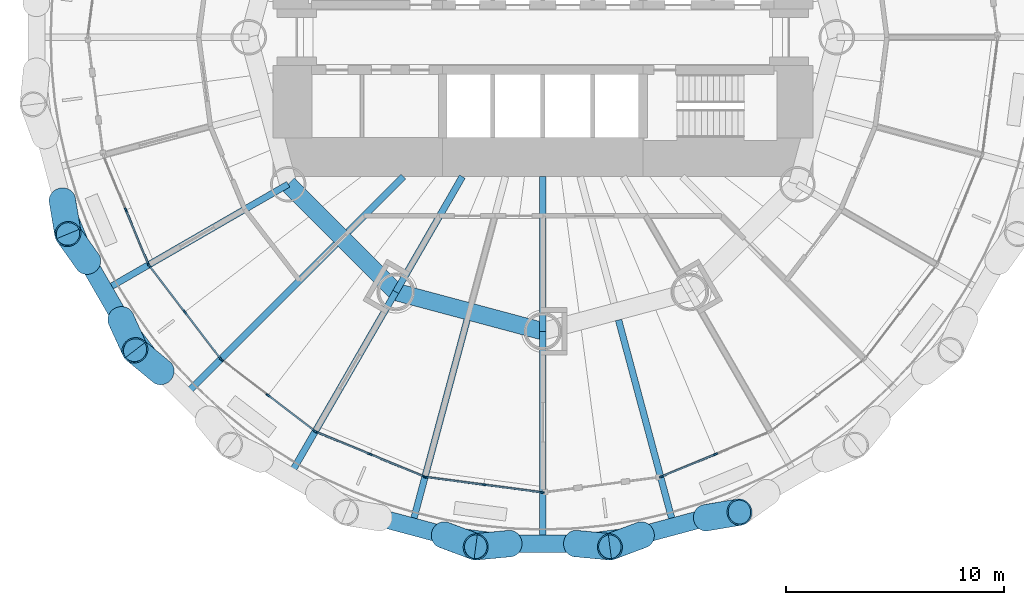
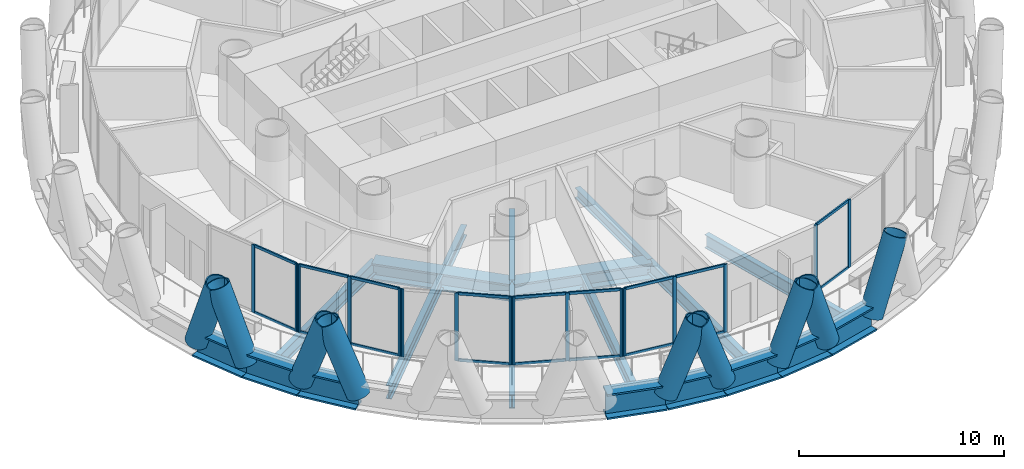
# One storey, part 2 of 15: 43 members, 19 beams, 6 elements without a shape of their own.
"""IFC4 building model written with IfcOpenShell, lengths in metres."""

from ifc_helpers import new_model, si_unit, direction, frame, origin, origin_2d, place, context, subcontext, project, spatial, rectangle, hollow_circle, i_section, extrude, material, material_profile, profile_set, type_object, element, aggregate, save


model = new_model("IFC4")

# Units and contexts
model_context = context("Model", 3, precision=1e-05, world=origin(), true_north=direction((0.0, 1.0)))
body_context = subcontext(model_context, "Body", "Model", "MODEL_VIEW")
ifc_project = project(units=[si_unit("LENGTHUNIT", "METRE"), si_unit("AREAUNIT", "SQUARE_METRE"), si_unit("VOLUMEUNIT", "CUBIC_METRE"), si_unit("PLANEANGLEUNIT", "RADIAN"), si_unit("MASSUNIT", "GRAM", prefix="KILO")], contexts=[model_context])

# Site, building, storey
site_placement = place(None, origin())
site = spatial("IfcSite", under=ifc_project, at=site_placement, CompositionType="ELEMENT")
building_placement = place(site_placement, origin())
building = spatial("IfcBuilding", under=site, at=building_placement, Name="Qaws Media Tower", CompositionType="ELEMENT")
storey_placement = place(building_placement, frame((0.0, 0.0, 30.199951171875)))
storey = spatial("IfcBuildingStorey", under=building, at=storey_placement, Name="L05", CompositionType="ELEMENT", Elevation=30.199951171875)

# Curtain wall, members
ifc_material_1 = material(Name="Aluminium and clear glass", Category="aluminium")
curtain_wall_type = type_object("IfcCurtainWallType", Name="Unitised curtain wall CW-A", PredefinedType="NOTDEFINED", material=ifc_material_1)
curtain_wall_1_placement = place(storey_placement, origin())
curtain_wall_1 = element("IfcCurtainWall", 1, at=curtain_wall_1_placement, inside=storey, type_object=curtain_wall_type, Name="CWA curtain wall L05-14", PredefinedType="NOTDEFINED")
ifc_material_2 = material(Name="Aluminium mullion", Category="aluminium")
ifc_material_profile_1 = material_profile(ifc_material_2, rectangle(XDim=0.080078125, YDim=0.199951171875, at=origin_2d()), Name="80x200")
ifc_profile_set_1 = profile_set([ifc_material_profile_1], Name="Aluminium mullion")
member_type_1 = type_object("IfcMemberType", Name="Curtain wall mullion 80x200", PredefinedType="MULLION", material=ifc_profile_set_1)
member_1_placement = place(storey_placement, frame((40.856201171875, 42.0703125, 0.0), z_axis=(0.0, 0.0, 1.0), x_axis=(0.92387952266, 0.382683456149, 0.0)))
member_1 = element("IfcMember", 2, at=member_1_placement, type_object=member_type_1, Name="CWA mullion 2", PredefinedType="MULLION", context=body_context, shape_type="SweptSolid", body=[
    extrude(rectangle(XDim=0.080078125, YDim=0.199951171875, at=origin_2d()), origin(), (0.0, 0.0, 1.0), 4.0400390625),
])
member_2_placement = place(storey_placement, frame((41.884765625, 39.5869140625, 0.0), z_axis=(0.0, 0.0, 1.0), x_axis=(0.92387952266, 0.382683456149, 0.0)))
member_2 = element("IfcMember", 3, at=member_2_placement, type_object=member_type_1, Name="CWA mullion 3", PredefinedType="MULLION", context=body_context, shape_type="SweptSolid", body=[
    extrude(rectangle(XDim=0.080078125, YDim=0.199951171875, at=origin_2d()), origin(), (0.0, 0.0, 1.0), 4.0400390625),
])

curtain_wall_2_placement = place(storey_placement, origin())
curtain_wall_2 = element("IfcCurtainWall", 4, at=curtain_wall_2_placement, inside=storey, type_object=curtain_wall_type, Name="CWA curtain wall L05-15", PredefinedType="NOTDEFINED")
member_3_placement = place(storey_placement, frame((41.92431640625, 39.518310546875, 0.0), z_axis=(0.0, 0.0, 1.0), x_axis=(0.793353377638, 0.608761380338, 0.0)))
member_3 = element("IfcMember", 5, at=member_3_placement, type_object=member_type_1, Name="CWA mullion 1", PredefinedType="MULLION", context=body_context, shape_type="SweptSolid", body=[
    extrude(rectangle(XDim=0.080078125, YDim=0.199951171875, at=origin_2d()), origin(), (0.0, 0.0, 1.0), 4.0400390625),
])
member_4_placement = place(storey_placement, frame((43.560791015625, 37.3857421875, 0.0), z_axis=(0.0, 0.0, 1.0), x_axis=(0.793353377638, 0.608761380338, 0.0)))
member_4 = element("IfcMember", 6, at=member_4_placement, type_object=member_type_1, Name="CWA mullion 2", PredefinedType="MULLION", context=body_context, shape_type="SweptSolid", body=[
    extrude(rectangle(XDim=0.080078125, YDim=0.199951171875, at=origin_2d()), origin(), (0.0, 0.0, 1.0), 4.0400390625),
])
member_5_placement = place(storey_placement, frame((45.197021484375, 35.253173828125, 0.0), z_axis=(0.0, 0.0, 1.0), x_axis=(0.793353377638, 0.608761380338, 0.0)))
member_5 = element("IfcMember", 7, at=member_5_placement, type_object=member_type_1, Name="CWA mullion 3", PredefinedType="MULLION", context=body_context, shape_type="SweptSolid", body=[
    extrude(rectangle(XDim=0.080078125, YDim=0.199951171875, at=origin_2d()), origin(), (0.0, 0.0, 1.0), 4.0400390625),
])

curtain_wall_3_placement = place(storey_placement, origin())
curtain_wall_3 = element("IfcCurtainWall", 8, at=curtain_wall_3_placement, inside=storey, type_object=curtain_wall_type, Name="CWA curtain wall L05-16", PredefinedType="NOTDEFINED")
member_6_placement = place(storey_placement, frame((45.253173828125, 35.197021484375, 0.0), z_axis=(0.0, 0.0, 1.0), x_axis=(0.608761380338, 0.793353377638, 0.0)))
member_6 = element("IfcMember", 9, at=member_6_placement, type_object=member_type_1, Name="CWA mullion 1", PredefinedType="MULLION", context=body_context, shape_type="SweptSolid", body=[
    extrude(rectangle(XDim=0.080078125, YDim=0.199951171875, at=origin_2d()), origin(), (0.0, 0.0, 1.0), 4.0400390625),
])
member_7_placement = place(storey_placement, frame((47.3857421875, 33.560791015625, 0.0), z_axis=(0.0, 0.0, 1.0), x_axis=(0.608761380338, 0.793353377638, 0.0)))
member_7 = element("IfcMember", 10, at=member_7_placement, type_object=member_type_1, Name="CWA mullion 2", PredefinedType="MULLION", context=body_context, shape_type="SweptSolid", body=[
    extrude(rectangle(XDim=0.080078125, YDim=0.199951171875, at=origin_2d()), origin(), (0.0, 0.0, 1.0), 4.0400390625),
])
member_8_placement = place(storey_placement, frame((49.518310546875, 31.92431640625, 0.0), z_axis=(0.0, 0.0, 1.0), x_axis=(0.608761380338, 0.793353377638, 0.0)))
member_8 = element("IfcMember", 11, at=member_8_placement, type_object=member_type_1, Name="CWA mullion 3", PredefinedType="MULLION", context=body_context, shape_type="SweptSolid", body=[
    extrude(rectangle(XDim=0.080078125, YDim=0.199951171875, at=origin_2d()), origin(), (0.0, 0.0, 1.0), 4.0400390625),
])

curtain_wall_4_placement = place(storey_placement, origin())
curtain_wall_4 = element("IfcCurtainWall", 12, at=curtain_wall_4_placement, inside=storey, type_object=curtain_wall_type, Name="CWA curtain wall L05-17", PredefinedType="NOTDEFINED")
member_9_placement = place(storey_placement, frame((49.5869140625, 31.884765625, 0.0), z_axis=(0.0, 0.0, 1.0), x_axis=(0.382683456149, 0.92387952266, 0.0)))
member_9 = element("IfcMember", 13, at=member_9_placement, type_object=member_type_1, Name="CWA mullion 1", PredefinedType="MULLION", context=body_context, shape_type="SweptSolid", body=[
    extrude(rectangle(XDim=0.080078125, YDim=0.199951171875, at=origin_2d()), origin(), (0.0, 0.0, 1.0), 4.0400390625),
])
member_10_placement = place(storey_placement, frame((52.0703125, 30.856201171875, 0.0), z_axis=(0.0, 0.0, 1.0), x_axis=(0.382683456149, 0.92387952266, 0.0)))
member_10 = element("IfcMember", 14, at=member_10_placement, type_object=member_type_1, Name="CWA mullion 2", PredefinedType="MULLION", context=body_context, shape_type="SweptSolid", body=[
    extrude(rectangle(XDim=0.080078125, YDim=0.199951171875, at=origin_2d()), origin(), (0.0, 0.0, 1.0), 4.0400390625),
])
member_11_placement = place(storey_placement, frame((54.5537109375, 29.827392578125, 0.0), z_axis=(0.0, 0.0, 1.0), x_axis=(0.382683456149, 0.92387952266, 0.0)))
member_11 = element("IfcMember", 15, at=member_11_placement, type_object=member_type_1, Name="CWA mullion 3", PredefinedType="MULLION", context=body_context, shape_type="SweptSolid", body=[
    extrude(rectangle(XDim=0.080078125, YDim=0.199951171875, at=origin_2d()), origin(), (0.0, 0.0, 1.0), 4.0400390625),
])

curtain_wall_5_placement = place(storey_placement, origin())
curtain_wall_5 = element("IfcCurtainWall", 16, at=curtain_wall_5_placement, inside=storey, type_object=curtain_wall_type, Name="CWA curtain wall L05-18", PredefinedType="NOTDEFINED")
member_12_placement = place(storey_placement, frame((54.63037109375, 29.806884765625, 0.0), z_axis=(0.0, 0.0, 1.0), x_axis=(0.130526151694, 0.991444866709, 0.0)))
member_12 = element("IfcMember", 17, at=member_12_placement, type_object=member_type_1, Name="CWA mullion 1", PredefinedType="MULLION", context=body_context, shape_type="SweptSolid", body=[
    extrude(rectangle(XDim=0.080078125, YDim=0.199951171875, at=origin_2d()), origin(), (0.0, 0.0, 1.0), 4.0400390625),
])
member_13_placement = place(storey_placement, frame((57.29541015625, 29.4560546875, 0.0), z_axis=(0.0, 0.0, 1.0), x_axis=(0.130526151694, 0.991444866709, 0.0)))
member_13 = element("IfcMember", 18, at=member_13_placement, type_object=member_type_1, Name="CWA mullion 2", PredefinedType="MULLION", context=body_context, shape_type="SweptSolid", body=[
    extrude(rectangle(XDim=0.080078125, YDim=0.199951171875, at=origin_2d()), origin(), (0.0, 0.0, 1.0), 4.0400390625),
])
member_14_placement = place(storey_placement, frame((59.96044921875, 29.105224609375, 0.0), z_axis=(0.0, 0.0, 1.0), x_axis=(0.130526151694, 0.991444866709, 0.0)))
member_14 = element("IfcMember", 19, at=member_14_placement, type_object=member_type_1, Name="CWA mullion 3", PredefinedType="MULLION", context=body_context, shape_type="SweptSolid", body=[
    extrude(rectangle(XDim=0.080078125, YDim=0.199951171875, at=origin_2d()), origin(), (0.0, 0.0, 1.0), 4.0400390625),
])

curtain_wall_6_placement = place(storey_placement, origin())
curtain_wall_6 = element("IfcCurtainWall", 20, at=curtain_wall_6_placement, inside=storey, type_object=curtain_wall_type, Name="CWA curtain wall L05-20", PredefinedType="NOTDEFINED")
member_15_placement = place(storey_placement, frame((65.4462890625, 29.827392578125, 0.0), z_axis=(0.0, 0.0, 1.0), x_axis=(-0.382683456149, 0.92387952266, 0.0)))
member_15 = element("IfcMember", 21, at=member_15_placement, type_object=member_type_1, Name="CWA mullion 1", PredefinedType="MULLION", context=body_context, shape_type="SweptSolid", body=[
    extrude(rectangle(XDim=0.080078125, YDim=0.199951171875, at=origin_2d()), origin(), (0.0, 0.0, 1.0), 4.0400390625),
])
member_16_placement = place(storey_placement, frame((67.9296875, 30.856201171875, 0.0), z_axis=(0.0, 0.0, 1.0), x_axis=(-0.382683456149, 0.92387952266, 0.0)))
member_16 = element("IfcMember", 22, at=member_16_placement, type_object=member_type_1, Name="CWA mullion 2", PredefinedType="MULLION", context=body_context, shape_type="SweptSolid", body=[
    extrude(rectangle(XDim=0.080078125, YDim=0.199951171875, at=origin_2d()), origin(), (0.0, 0.0, 1.0), 4.0400390625),
])

# Member
ifc_material_3 = material(Name="Aluminium transom", Category="aluminium")
ifc_material_profile_2 = material_profile(ifc_material_3, rectangle(XDim=0.080078125, YDim=0.159912109375, at=origin_2d()), Name="80x160")
ifc_profile_set_2 = profile_set([ifc_material_profile_2], Name="Aluminium transom")
member_type_2 = type_object("IfcMemberType", Name="Curtain wall transom 80x160", PredefinedType="USERDEFINED", material=ifc_profile_set_2)
member_17_placement = place(storey_placement, frame((40.871337890625, 42.033447265625, 0.0400390625), z_axis=(0.382693528503, -0.923875350489, 0.0), x_axis=(0.923875350489, 0.382693528503, 0.0)))
member_17 = element("IfcMember", 23, at=member_17_placement, type_object=member_type_2, Name="CWA transom 2.1", ObjectType="TRANSOM", PredefinedType="USERDEFINED", context=body_context, shape_type="SweptSolid", body=[
    extrude(rectangle(XDim=0.080078125, YDim=0.159912109375, at=origin_2d()), origin(), (0.0, 0.0, 1.0), 2.60791015625),
])

member_18_placement = place(storey_placement, frame((40.871337890625, 42.033447265625, 4.0), z_axis=(0.382693528503, -0.923875350489, 0.0), x_axis=(0.923875350489, 0.382693528503, 0.0)))
member_18 = element("IfcMember", 24, at=member_18_placement, type_object=member_type_2, Name="CWA transom 2.2", ObjectType="TRANSOM", PredefinedType="USERDEFINED", context=body_context, shape_type="SweptSolid", body=[
    extrude(rectangle(XDim=0.080078125, YDim=0.159912109375, at=origin_2d()), origin(), (0.0, 0.0, 1.0), 2.60791015625),
])

aggregate(curtain_wall_1, [member_1, member_2, member_17, member_18])

member_19_placement = place(storey_placement, frame((41.94873046875, 39.486572265625, 0.0400390625), z_axis=(0.608755759528, -0.793357690605, 0.0), x_axis=(0.793357690605, 0.608755759528, 0.0)))
member_19 = element("IfcMember", 25, at=member_19_placement, type_object=member_type_2, Name="CWA transom 1.1", ObjectType="TRANSOM", PredefinedType="USERDEFINED", context=body_context, shape_type="SweptSolid", body=[
    extrude(rectangle(XDim=0.080078125, YDim=0.159912109375, at=origin_2d()), origin(), (0.0, 0.0, 1.0), 2.60791015625),
])

member_20_placement = place(storey_placement, frame((41.94873046875, 39.486572265625, 4.0), z_axis=(0.608755759528, -0.793357690605, 0.0), x_axis=(0.793357690605, 0.608755759528, 0.0)))
member_20 = element("IfcMember", 26, at=member_20_placement, type_object=member_type_2, Name="CWA transom 1.2", ObjectType="TRANSOM", PredefinedType="USERDEFINED", context=body_context, shape_type="SweptSolid", body=[
    extrude(rectangle(XDim=0.080078125, YDim=0.159912109375, at=origin_2d()), origin(), (0.0, 0.0, 1.0), 2.60791015625),
])

member_21_placement = place(storey_placement, frame((43.585205078125, 37.35400390625, 0.0400390625), z_axis=(0.608755759528, -0.793357690605, 0.0), x_axis=(0.793357690605, 0.608755759528, 0.0)))
member_21 = element("IfcMember", 27, at=member_21_placement, type_object=member_type_2, Name="CWA transom 2.1", ObjectType="TRANSOM", PredefinedType="USERDEFINED", context=body_context, shape_type="SweptSolid", body=[
    extrude(rectangle(XDim=0.080078125, YDim=0.159912109375, at=origin_2d()), origin(), (0.0, 0.0, 1.0), 2.60791015625),
])

member_22_placement = place(storey_placement, frame((43.585205078125, 37.35400390625, 4.0), z_axis=(0.608755759528, -0.793357690605, 0.0), x_axis=(0.793357690605, 0.608755759528, 0.0)))
member_22 = element("IfcMember", 28, at=member_22_placement, type_object=member_type_2, Name="CWA transom 2.2", ObjectType="TRANSOM", PredefinedType="USERDEFINED", context=body_context, shape_type="SweptSolid", body=[
    extrude(rectangle(XDim=0.080078125, YDim=0.159912109375, at=origin_2d()), origin(), (0.0, 0.0, 1.0), 2.60791015625),
])

aggregate(curtain_wall_2, [member_3, member_4, member_5, member_19, member_20, member_21, member_22])

member_23_placement = place(storey_placement, frame((47.41748046875, 33.536376953125, 0.0400390625), z_axis=(0.793357690605, -0.608755759528, 0.0), x_axis=(0.608755759528, 0.793357690605, 0.0)))
member_23 = element("IfcMember", 29, at=member_23_placement, type_object=member_type_2, Name="CWA transom 2.1", ObjectType="TRANSOM", PredefinedType="USERDEFINED", context=body_context, shape_type="SweptSolid", body=[
    extrude(rectangle(XDim=0.080078125, YDim=0.159912109375, at=origin_2d()), origin(), (0.0, 0.0, 1.0), 2.60791015625),
])

member_24_placement = place(storey_placement, frame((47.41748046875, 33.536376953125, 4.0), z_axis=(0.793357690605, -0.608755759528, 0.0), x_axis=(0.608755759528, 0.793357690605, 0.0)))
member_24 = element("IfcMember", 30, at=member_24_placement, type_object=member_type_2, Name="CWA transom 2.2", ObjectType="TRANSOM", PredefinedType="USERDEFINED", context=body_context, shape_type="SweptSolid", body=[
    extrude(rectangle(XDim=0.080078125, YDim=0.159912109375, at=origin_2d()), origin(), (0.0, 0.0, 1.0), 2.60791015625),
])

aggregate(curtain_wall_3, [member_6, member_7, member_8, member_23, member_24])

member_25_placement = place(storey_placement, frame((49.6240234375, 31.869384765625, 0.0400390625), z_axis=(0.923875350489, -0.382693528503, 0.0), x_axis=(0.382693528503, 0.923875350489, 0.0)))
member_25 = element("IfcMember", 31, at=member_25_placement, type_object=member_type_2, Name="CWA transom 1.1", ObjectType="TRANSOM", PredefinedType="USERDEFINED", context=body_context, shape_type="SweptSolid", body=[
    extrude(rectangle(XDim=0.080078125, YDim=0.159912109375, at=origin_2d()), origin(), (0.0, 0.0, 1.0), 2.60791015625),
])

member_26_placement = place(storey_placement, frame((49.6240234375, 31.869384765625, 4.0), z_axis=(0.923875350489, -0.382693528503, 0.0), x_axis=(0.382693528503, 0.923875350489, 0.0)))
member_26 = element("IfcMember", 32, at=member_26_placement, type_object=member_type_2, Name="CWA transom 1.2", ObjectType="TRANSOM", PredefinedType="USERDEFINED", context=body_context, shape_type="SweptSolid", body=[
    extrude(rectangle(XDim=0.080078125, YDim=0.159912109375, at=origin_2d()), origin(), (0.0, 0.0, 1.0), 2.60791015625),
])

member_27_placement = place(storey_placement, frame((52.107177734375, 30.8408203125, 0.0400390625), z_axis=(0.923889058869, -0.382660432893, 0.0), x_axis=(0.382660432893, 0.923889058869, 0.0)))
member_27 = element("IfcMember", 33, at=member_27_placement, type_object=member_type_2, Name="CWA transom 2.1", ObjectType="TRANSOM", PredefinedType="USERDEFINED", context=body_context, shape_type="SweptSolid", body=[
    extrude(rectangle(XDim=0.080078125, YDim=0.159912109375, at=origin_2d()), origin(), (0.0, 0.0, 1.0), 2.608154296875),
])

member_28_placement = place(storey_placement, frame((52.107177734375, 30.8408203125, 4.0), z_axis=(0.923889058869, -0.382660432893, 0.0), x_axis=(0.382660432893, 0.923889058869, 0.0)))
member_28 = element("IfcMember", 34, at=member_28_placement, type_object=member_type_2, Name="CWA transom 2.2", ObjectType="TRANSOM", PredefinedType="USERDEFINED", context=body_context, shape_type="SweptSolid", body=[
    extrude(rectangle(XDim=0.080078125, YDim=0.159912109375, at=origin_2d()), origin(), (0.0, 0.0, 1.0), 2.608154296875),
])

aggregate(curtain_wall_4, [member_9, member_10, member_11, member_25, member_26, member_27, member_28])

member_29_placement = place(storey_placement, frame((54.669921875, 29.8017578125, 0.0400390625), z_axis=(0.991436762367, -0.130587695544, 0.0), x_axis=(0.130587695544, 0.991436762367, 0.0)))
member_29 = element("IfcMember", 35, at=member_29_placement, type_object=member_type_2, Name="CWA transom 1.1", ObjectType="TRANSOM", PredefinedType="USERDEFINED", context=body_context, shape_type="SweptSolid", body=[
    extrude(rectangle(XDim=0.080078125, YDim=0.159912109375, at=origin_2d()), origin(), (0.0, 0.0, 1.0), 2.60791015625),
])

member_30_placement = place(storey_placement, frame((54.669921875, 29.8017578125, 4.0), z_axis=(0.991436762367, -0.130587695544, 0.0), x_axis=(0.130587695544, 0.991436762367, 0.0)))
member_30 = element("IfcMember", 36, at=member_30_placement, type_object=member_type_2, Name="CWA transom 1.2", ObjectType="TRANSOM", PredefinedType="USERDEFINED", context=body_context, shape_type="SweptSolid", body=[
    extrude(rectangle(XDim=0.080078125, YDim=0.159912109375, at=origin_2d()), origin(), (0.0, 0.0, 1.0), 2.60791015625),
])

member_31_placement = place(storey_placement, frame((57.3349609375, 29.450927734375, 0.0400390625), z_axis=(0.991436762367, -0.130587695544, 0.0), x_axis=(0.130587695544, 0.991436762367, 0.0)))
member_31 = element("IfcMember", 37, at=member_31_placement, type_object=member_type_2, Name="CWA transom 2.1", ObjectType="TRANSOM", PredefinedType="USERDEFINED", context=body_context, shape_type="SweptSolid", body=[
    extrude(rectangle(XDim=0.080078125, YDim=0.159912109375, at=origin_2d()), origin(), (0.0, 0.0, 1.0), 2.60791015625),
])

member_32_placement = place(storey_placement, frame((57.3349609375, 29.450927734375, 4.0), z_axis=(0.991436762367, -0.130587695544, 0.0), x_axis=(0.130587695544, 0.991436762367, 0.0)))
member_32 = element("IfcMember", 38, at=member_32_placement, type_object=member_type_2, Name="CWA transom 2.2", ObjectType="TRANSOM", PredefinedType="USERDEFINED", context=body_context, shape_type="SweptSolid", body=[
    extrude(rectangle(XDim=0.080078125, YDim=0.159912109375, at=origin_2d()), origin(), (0.0, 0.0, 1.0), 2.60791015625),
])

aggregate(curtain_wall_5, [member_12, member_13, member_14, member_29, member_30, member_31, member_32])

member_33_placement = place(storey_placement, frame((65.483154296875, 29.8427734375, 0.0400390625), z_axis=(0.923889058869, 0.382660432893, 0.0), x_axis=(-0.382660432893, 0.923889058869, 0.0)))
member_33 = element("IfcMember", 39, at=member_33_placement, type_object=member_type_2, Name="CWA transom 1.1", ObjectType="TRANSOM", PredefinedType="USERDEFINED", context=body_context, shape_type="SweptSolid", body=[
    extrude(rectangle(XDim=0.080078125, YDim=0.159912109375, at=origin_2d()), origin(), (0.0, 0.0, 1.0), 2.608154296875),
])

member_34_placement = place(storey_placement, frame((65.483154296875, 29.8427734375, 4.0), z_axis=(0.923889058869, 0.382660432893, 0.0), x_axis=(-0.382660432893, 0.923889058869, 0.0)))
member_34 = element("IfcMember", 40, at=member_34_placement, type_object=member_type_2, Name="CWA transom 1.2", ObjectType="TRANSOM", PredefinedType="USERDEFINED", context=body_context, shape_type="SweptSolid", body=[
    extrude(rectangle(XDim=0.080078125, YDim=0.159912109375, at=origin_2d()), origin(), (0.0, 0.0, 1.0), 2.608154296875),
])

aggregate(curtain_wall_6, [member_15, member_16, member_33, member_34])

# Members
ifc_material_4 = material(Name="Steel S460", Category="steel")
ifc_material_profile_3 = material_profile(ifc_material_4, hollow_circle(Radius=0.609619140625, WallThickness=0.06005859375, at=origin_2d()), Name="CHS 1219x60")
ifc_profile_set_3 = profile_set([ifc_material_profile_3], Name="Steel S460")
member_type_3 = type_object("IfcMemberType", Name="Diagrid member CHS 1219x60", PredefinedType="USERDEFINED", material=ifc_profile_set_3)
for number, where, z_axis, x_axis, name in (
    (41, (37.9365234375, 42.510498046875, -0.909912109375), (0.058017977607, -0.34402209257, 0.937167388516), (0.986075579143, 0.166297781756, 0.0), "DG1 diagrid L05 A14"),
    (42, (40.626708984375, 37.05517578125, -0.909912109375), (0.145072807863, -0.317275265863, 0.937171428337), (0.909439045115, 0.41583725569, 0.0), "DG1 diagrid L05 A15"),
    (43, (39.102783203125, 39.694580078125, -0.909912109375), (-0.202217491802, 0.284313871152, 0.93716258391), (-0.814902881425, -0.579597527467, 0.0), "DG1 diagrid L05 B15"),
):
    element("IfcMember", number, at=place(storey_placement, frame(where, z_axis=z_axis, x_axis=x_axis)), inside=storey, type_object=member_type_3, Name=name, ObjectType="DIAGRID", PredefinedType="USERDEFINED", context=body_context, shape_type="SweptSolid", body=[
        extrude(hollow_circle(Radius=0.609619140625, WallThickness=0.06005859375, at=origin_2d()), origin(), (0.0, 0.0, 1.0), 4.4814453125),
    ])
for number, where, z_axis, x_axis, name in (
    (44, (42.482177734375, 34.63720703125, -0.909912109375), (-0.268950060745, 0.222263773109, 0.937157766861), (-0.637030728168, -0.770838408079, 0.0), "DG1 diagrid L05 B16"),
    (45, (55.454345703125, 27.147705078125, -0.909912109375), (0.326965826616, -0.121808661832, 0.937153134834), (0.349103646691, 0.937084117818, 0.0), "DG1 diagrid L05 A18"),
):
    element("IfcMember", number, at=place(storey_placement, frame(where, z_axis=z_axis, x_axis=x_axis)), inside=storey, type_object=member_type_3, Name=name, ObjectType="DIAGRID", PredefinedType="USERDEFINED", context=body_context, shape_type="SweptSolid", body=[
        extrude(hollow_circle(Radius=0.609619140625, WallThickness=0.06005859375, at=origin_2d()), origin(), (0.0, 0.0, 1.0), 4.481689453125),
    ])
for number, where, z_axis, x_axis, name in (
    (46, (61.52392578125, 26.75, -0.909912109375), (0.347292966152, -0.03306773811, 0.937173473994), (0.094786985058, 0.995497577829, 0.0), "DG1 diagrid L05 A19"),
    (47, (58.47607421875, 26.75, -0.909912109375), (-0.347292966152, -0.03306773811, 0.937173473994), (0.094786985058, -0.995497577829, 0.0), "DG1 diagrid L05 B19"),
    (48, (67.489501953125, 27.9365234375, -0.909912109375), (0.34402209257, 0.058017977607, 0.937167388516), (-0.166297781756, 0.986075579143, 0.0), "DG1 diagrid L05 A20"),
):
    element("IfcMember", number, at=place(storey_placement, frame(where, z_axis=z_axis, x_axis=x_axis)), inside=storey, type_object=member_type_3, Name=name, ObjectType="DIAGRID", PredefinedType="USERDEFINED", context=body_context, shape_type="SweptSolid", body=[
        extrude(hollow_circle(Radius=0.609619140625, WallThickness=0.06005859375, at=origin_2d()), origin(), (0.0, 0.0, 1.0), 4.4814453125),
    ])
member_35_placement = place(storey_placement, frame((64.545654296875, 27.147705078125, -0.909912109375), z_axis=(-0.326965826616, -0.121808661832, 0.937153134834), x_axis=(0.349103646691, -0.937084117818, 0.0)))
element("IfcMember", 49, at=member_35_placement, inside=storey, type_object=member_type_3, Name="DG1 diagrid L05 B20", ObjectType="DIAGRID", PredefinedType="USERDEFINED", context=body_context, shape_type="SweptSolid", body=[
    extrude(hollow_circle(Radius=0.609619140625, WallThickness=0.06005859375, at=origin_2d()), origin(), (0.0, 0.0, 1.0), 4.481689453125),
])

# Beams
ifc_material_5 = material(Name="Steel S460", Category="steel")
ifc_material_profile_4 = material_profile(ifc_material_5, i_section(OverallWidth=0.800048828125, OverallDepth=1.5, WebThickness=0.0400390625, FlangeThickness=0.10009765625, at=origin_2d()), Name="PG 1500x800")
ifc_profile_set_4 = profile_set([ifc_material_profile_4], Name="Steel S460")
beam_type_1 = type_object("IfcBeamType", Name="Edge ring beam PG 1500x800", PredefinedType="BEAM", material=ifc_profile_set_4)
for number, where, z_axis, x_axis, name in (
    (50, (37.9365234375, 42.510498046875, -0.909912109375), (0.382646564361, -0.923894802877, 0.0), (0.923894802877, 0.382646564361, 0.0), "RB7 edge ring beam L05-27"),
    (51, (39.102783203125, 39.694580078125, -0.909912109375), (0.500015995287, -0.866016168704, 0.0), (0.866016168704, 0.500015995287, 0.0), "RB7 edge ring beam L05-28"),
    (52, (40.626708984375, 37.05517578125, -0.909912109375), (0.608781268648, -0.793338116406, 0.0), (0.793338116406, 0.608781268648, 0.0), "RB7 edge ring beam L05-29"),
):
    element("IfcBeam", number, at=place(storey_placement, frame(where, z_axis=z_axis, x_axis=x_axis)), inside=storey, type_object=beam_type_1, Name=name, PredefinedType="BEAM", context=body_context, shape_type="SweptSolid", body=[
        extrude(i_section(OverallWidth=0.800048828125, OverallDepth=1.5, WebThickness=0.0400390625, FlangeThickness=0.10009765625, at=origin_2d()), origin(), (0.0, 0.0, 1.0), 3.0478515625),
    ])
beam_1_placement = place(storey_placement, frame((52.510498046875, 27.9365234375, -0.909912109375), z_axis=(0.965924451694, -0.258824175106, 0.0), x_axis=(0.258824175106, 0.965924451694, 0.0)))
element("IfcBeam", 53, at=beam_1_placement, inside=storey, type_object=beam_type_1, Name="RB7 edge ring beam L05-34", PredefinedType="BEAM", context=body_context, shape_type="SweptSolid", body=[
    extrude(i_section(OverallWidth=0.800048828125, OverallDepth=1.5, WebThickness=0.0400390625, FlangeThickness=0.10009765625, at=origin_2d()), origin(), (0.0, 0.0, 1.0), 3.047607421875),
])
for number, where, z_axis, x_axis, name in (
    (54, (55.454345703125, 27.147705078125, -0.909912109375), (0.991449659888, -0.130489738706, 0.0), (0.130489738706, 0.991449659888, 0.0), "RB7 edge ring beam L05-35"),
    (55, (58.47607421875, 26.75, -0.909912109375), (1.0, 0.0, 0.0), (0.0, 1.0, 0.0), "RB7 edge ring beam L05-36"),
    (56, (61.52392578125, 26.75, -0.909912109375), (0.991449659888, 0.130489738706, 0.0), (-0.130489738706, 0.991449659888, 0.0), "RB7 edge ring beam L05-37"),
):
    element("IfcBeam", number, at=place(storey_placement, frame(where, z_axis=z_axis, x_axis=x_axis)), inside=storey, type_object=beam_type_1, Name=name, PredefinedType="BEAM", context=body_context, shape_type="SweptSolid", body=[
        extrude(i_section(OverallWidth=0.800048828125, OverallDepth=1.5, WebThickness=0.0400390625, FlangeThickness=0.10009765625, at=origin_2d()), origin(), (0.0, 0.0, 1.0), 3.0478515625),
    ])
beam_2_placement = place(storey_placement, frame((64.545654296875, 27.147705078125, -0.909912109375), z_axis=(0.965924451694, 0.258824175106, 0.0), x_axis=(-0.258824175106, 0.965924451694, 0.0)))
element("IfcBeam", 57, at=beam_2_placement, inside=storey, type_object=beam_type_1, Name="RB7 edge ring beam L05-38", PredefinedType="BEAM", context=body_context, shape_type="SweptSolid", body=[
    extrude(i_section(OverallWidth=0.800048828125, OverallDepth=1.5, WebThickness=0.0400390625, FlangeThickness=0.10009765625, at=origin_2d()), origin(), (0.0, 0.0, 1.0), 3.047607421875),
])
ifc_material_6 = material(Name="Steel S460", Category="steel")
ifc_material_profile_5 = material_profile(ifc_material_6, i_section(OverallWidth=0.800048828125, OverallDepth=1.0, WebThickness=0.0400390625, FlangeThickness=0.10009765625, at=origin_2d()), Name="PG 1000x800")
ifc_profile_set_5 = profile_set([ifc_material_profile_5], Name="Steel S460")
beam_type_2 = type_object("IfcBeamType", Name="Inner ring girder PG 1000x800", PredefinedType="BEAM", material=ifc_profile_set_5)
beam_3_placement = place(storey_placement, frame((48.30859375, 43.25, -0.659912109375), z_axis=(0.707106781187, -0.707106781187, 0.0), x_axis=(0.707106781187, 0.707106781187, 0.0)))
element("IfcBeam", 58, at=beam_3_placement, inside=storey, type_object=beam_type_2, Name="B3 inner ring beam L05 I08-I09", PredefinedType="BEAM", context=body_context, shape_type="SweptSolid", body=[
    extrude(i_section(OverallWidth=0.800048828125, OverallDepth=1.0, WebThickness=0.0400390625, FlangeThickness=0.10009765625, at=origin_2d()), origin(), (0.0, 0.0, 1.0), 6.98828125),
])
beam_4_placement = place(storey_placement, frame((53.25, 38.30859375, -0.659912109375), z_axis=(0.965928090778, -0.258810593767, 0.0), x_axis=(0.258810593767, 0.965928090778, 0.0)))
element("IfcBeam", 59, at=beam_4_placement, inside=storey, type_object=beam_type_2, Name="B3 inner ring beam L05 I09-I10", PredefinedType="BEAM", context=body_context, shape_type="SweptSolid", body=[
    extrude(i_section(OverallWidth=0.800048828125, OverallDepth=1.0, WebThickness=0.0400390625, FlangeThickness=0.10009765625, at=origin_2d()), origin(), (0.0, 0.0, 1.0), 6.988037109375),
])
ifc_material_7 = material(Name="Steel S355", Category="steel")
ifc_material_profile_6 = material_profile(ifc_material_7, i_section(OverallWidth=0.304931640625, OverallDepth=0.6201171875, WebThickness=0.02099609375, FlangeThickness=0.0400390625, FilletRadius=0.027099609375, at=origin_2d()), Name="HE 600 M")
ifc_profile_set_6 = profile_set([ifc_material_profile_6], Name="Steel S355")
beam_type_3 = type_object("IfcBeamType", Name="Radial beam HE 600 M, core side", PredefinedType="BEAM", material=ifc_profile_set_6)
beam_5_placement = place(storey_placement, frame((53.60009765625, 43.60009765625, -0.469970703125), z_axis=(-0.707106781187, -0.707106781187, 0.0), x_axis=(0.707106781187, -0.707106781187, 0.0)))
element("IfcBeam", 60, at=beam_5_placement, inside=storey, type_object=beam_type_3, Name="B2 radial beam L05 16", PredefinedType="BEAM", context=body_context, shape_type="SweptSolid", body=[
    extrude(i_section(OverallWidth=0.304931640625, OverallDepth=0.6201171875, WebThickness=0.02099609375, FlangeThickness=0.0400390625, FilletRadius=0.027099609375, at=origin_2d()), origin(), (0.0, 0.0, 1.0), 3.589111328125),
])
beam_6_placement = place(storey_placement, frame((56.304931640625, 43.60009765625, -0.469970703125), z_axis=(-0.49998532359, -0.866033877048, 0.0), x_axis=(0.866033877048, -0.49998532359, 0.0)))
element("IfcBeam", 61, at=beam_6_placement, inside=storey, type_object=beam_type_3, Name="B2 radial beam L05 17", PredefinedType="BEAM", context=body_context, shape_type="SweptSolid", body=[
    extrude(i_section(OverallWidth=0.304931640625, OverallDepth=0.6201171875, WebThickness=0.02099609375, FlangeThickness=0.0400390625, FilletRadius=0.027099609375, at=origin_2d()), origin(), (0.0, 0.0, 1.0), 6.110107421875),
])
beam_7_placement = place(storey_placement, frame((60.0, 43.60009765625, -0.469970703125), z_axis=(0.0, -1.0, 0.0), x_axis=(1.0, 0.0, 0.0)))
element("IfcBeam", 62, at=beam_7_placement, inside=storey, type_object=beam_type_3, Name="B2 radial beam L05 19", PredefinedType="BEAM", context=body_context, shape_type="SweptSolid", body=[
    extrude(i_section(OverallWidth=0.304931640625, OverallDepth=0.6201171875, WebThickness=0.02099609375, FlangeThickness=0.0400390625, FilletRadius=0.027099609375, at=origin_2d()), origin(), (0.0, 0.0, 1.0), 7.10009765625),
])
ifc_material_8 = material(Name="Steel S355", Category="steel")
ifc_material_profile_7 = material_profile(ifc_material_8, i_section(OverallWidth=0.300048828125, OverallDepth=0.800048828125, WebThickness=0.017578125, FlangeThickness=0.032958984375, FilletRadius=0.030029296875, at=origin_2d()), Name="HE 800 B")
ifc_profile_set_7 = profile_set([ifc_material_profile_7], Name="Steel S355")
beam_type_4 = type_object("IfcBeamType", Name="Radial beam HE 800 B", PredefinedType="BEAM", material=ifc_profile_set_7)
beam_8_placement = place(storey_placement, frame((48.30859375, 43.25, -0.56005859375), z_axis=(-0.866027967067, -0.499995560238, 0.0), x_axis=(0.499995560238, -0.866027967067, 0.0)))
element("IfcBeam", 63, at=beam_8_placement, inside=storey, type_object=beam_type_4, Name="B1 radial beam L05 15", PredefinedType="BEAM", context=body_context, shape_type="SweptSolid", body=[
    extrude(i_section(OverallWidth=0.300048828125, OverallDepth=0.800048828125, WebThickness=0.017578125, FlangeThickness=0.032958984375, FilletRadius=0.030029296875, at=origin_2d()), origin(), (0.0, 0.0, 1.0), 9.75),
])
beam_9_placement = place(storey_placement, frame((50.49658203125, 40.49658203125, -0.56005859375), z_axis=(-0.707106781187, -0.707106781187, 0.0), x_axis=(0.707106781187, -0.707106781187, 0.0)))
element("IfcBeam", 64, at=beam_9_placement, inside=storey, type_object=beam_type_4, Name="B1 radial beam L05 16", PredefinedType="BEAM", context=body_context, shape_type="SweptSolid", body=[
    extrude(i_section(OverallWidth=0.300048828125, OverallDepth=0.800048828125, WebThickness=0.017578125, FlangeThickness=0.032958984375, FilletRadius=0.030029296875, at=origin_2d()), origin(), (0.0, 0.0, 1.0), 9.810302734375),
])
beam_10_placement = place(storey_placement, frame((53.25, 38.30859375, -0.56005859375), z_axis=(-0.499995560238, -0.866027967067, 0.0), x_axis=(0.866027967067, -0.499995560238, 0.0)))
element("IfcBeam", 65, at=beam_10_placement, inside=storey, type_object=beam_type_4, Name="B1 radial beam L05 17", PredefinedType="BEAM", context=body_context, shape_type="SweptSolid", body=[
    extrude(i_section(OverallWidth=0.300048828125, OverallDepth=0.800048828125, WebThickness=0.017578125, FlangeThickness=0.032958984375, FilletRadius=0.030029296875, at=origin_2d()), origin(), (0.0, 0.0, 1.0), 9.75),
])
beam_11_placement = place(storey_placement, frame((56.521484375, 37.01806640625, -0.56005859375), z_axis=(-0.258821088287, -0.965925278817, 0.0), x_axis=(0.965925278817, -0.258821088287, 0.0)))
element("IfcBeam", 66, at=beam_11_placement, inside=storey, type_object=beam_type_4, Name="B1 radial beam L05 18", PredefinedType="BEAM", context=body_context, shape_type="SweptSolid", body=[
    extrude(i_section(OverallWidth=0.300048828125, OverallDepth=0.800048828125, WebThickness=0.017578125, FlangeThickness=0.032958984375, FilletRadius=0.030029296875, at=origin_2d()), origin(), (0.0, 0.0, 1.0), 9.81005859375),
])
beam_12_placement = place(storey_placement, frame((60.0, 36.5, -0.56005859375), z_axis=(0.0, -1.0, 0.0), x_axis=(1.0, 0.0, 0.0)))
element("IfcBeam", 67, at=beam_12_placement, inside=storey, type_object=beam_type_4, Name="B1 radial beam L05 19", PredefinedType="BEAM", context=body_context, shape_type="SweptSolid", body=[
    extrude(i_section(OverallWidth=0.300048828125, OverallDepth=0.800048828125, WebThickness=0.017578125, FlangeThickness=0.032958984375, FilletRadius=0.030029296875, at=origin_2d()), origin(), (0.0, 0.0, 1.0), 9.75),
])
beam_13_placement = place(storey_placement, frame((63.478515625, 37.01806640625, -0.56005859375), z_axis=(0.258821088287, -0.965925278817, 0.0), x_axis=(0.965925278817, 0.258821088287, 0.0)))
element("IfcBeam", 68, at=beam_13_placement, inside=storey, type_object=beam_type_4, Name="B1 radial beam L05 20", PredefinedType="BEAM", context=body_context, shape_type="SweptSolid", body=[
    extrude(i_section(OverallWidth=0.300048828125, OverallDepth=0.800048828125, WebThickness=0.017578125, FlangeThickness=0.032958984375, FilletRadius=0.030029296875, at=origin_2d()), origin(), (0.0, 0.0, 1.0), 9.81005859375),
])

save(model, "model.ifc")
